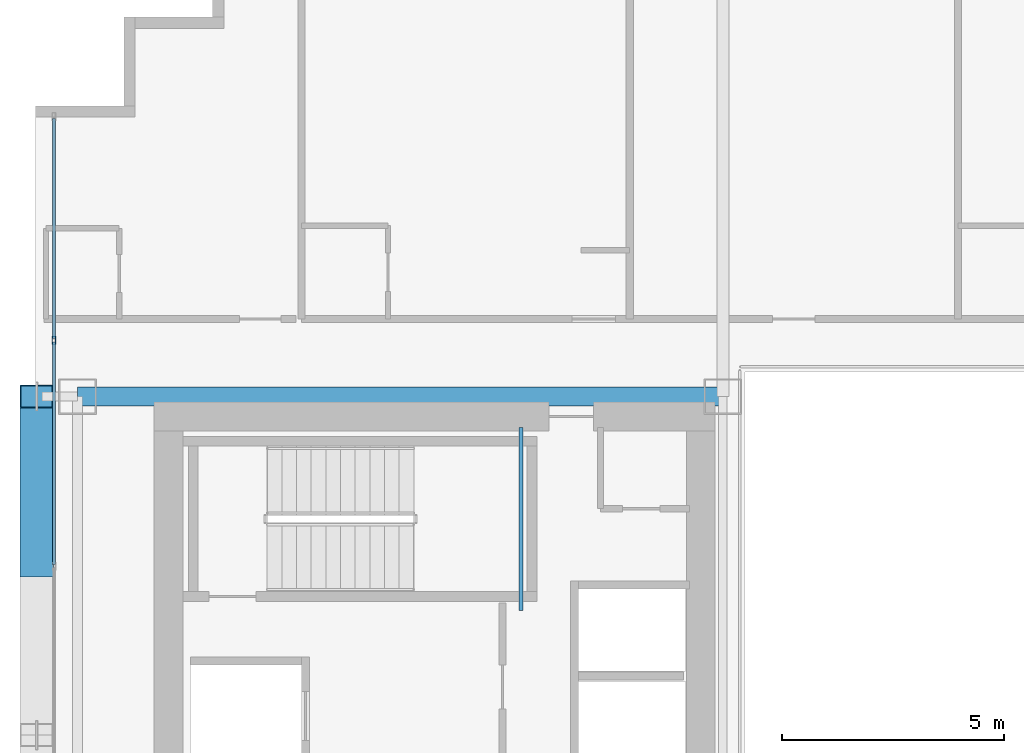
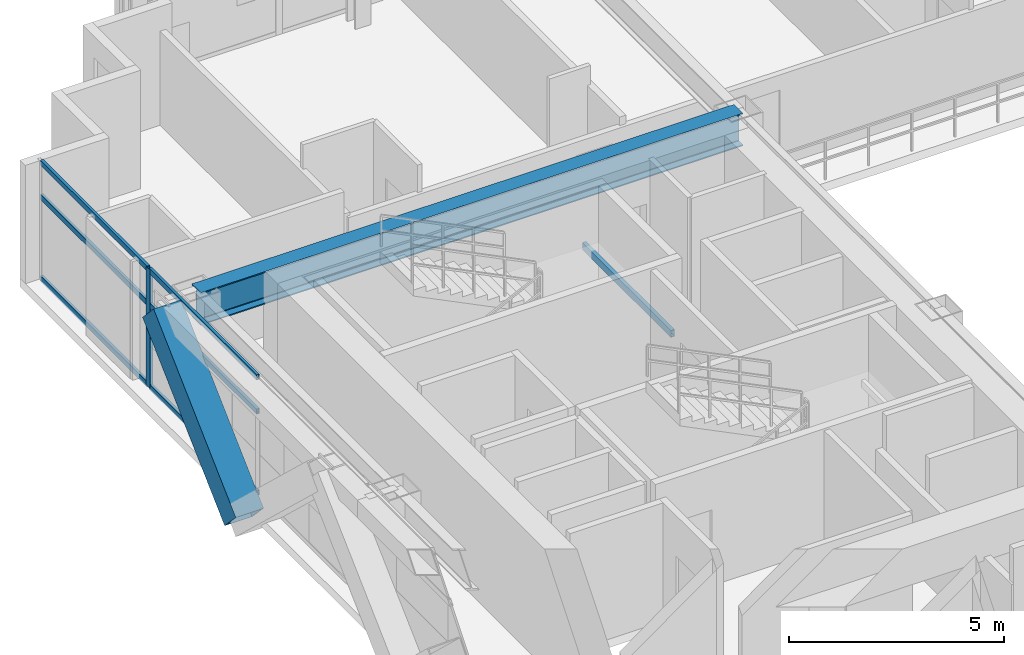
# One storey, part 16 of 35: 8 members, 2 beams, 1 element without a shape of its own.
"""IFC4 building model written with IfcOpenShell, lengths in metres."""

import ifcopenshell
import ifcopenshell.guid

model = None  # the IFC model being written
_history = None  # IfcOwnerHistory: only IFC2X3 demands one
_inside = {}  # id of a spatial element -> (the spatial element, [elements in it])
_under = {}  # id of a project, library or spatial element -> (it, [spatial elements below it])
_declared = {}  # id of a project -> (the project, [libraries it declares])
_typed = {}  # id of a type object -> (the type object, [elements of that type])
_made_of = {}  # id of a material, layer set ... -> (it, [elements and type objects made of it])


def new_model(schema):
    """Start an empty IFC model of exactly this schema.

    Asked for "IFC4X3", IfcOpenShell would pick the latest addendum, in which some entities
    have other attributes; the version numbers below select the first issue.
    IFC2X3 requires an IfcOwnerHistory on every rooted entity: one is made here for all.
    """
    global model, _history
    if schema == "IFC4X3":
        model = ifcopenshell.file(schema_version=(4, 3, 0, 0))
    else:
        model = ifcopenshell.file(schema=schema)
    _inside.clear()
    _under.clear()
    _declared.clear()
    _typed.clear()
    _made_of.clear()
    _history = None
    if model.schema == "IFC2X3":
        org = make("IfcOrganization", Name="unknown")
        user = make(
            "IfcPersonAndOrganization",
            ThePerson=make("IfcPerson", FamilyName="unknown"),
            TheOrganization=org,
        )
        app = make(
            "IfcApplication",
            ApplicationDeveloper=org,
            Version="unknown",
            ApplicationFullName="unknown",
            ApplicationIdentifier="unknown",
        )
        _history = make(
            "IfcOwnerHistory",
            OwningUser=user,
            OwningApplication=app,
            ChangeAction="ADDED",
            CreationDate=0,
        )
    return model


def make(cls, **values):
    """One entity of the class cls with the attributes given. An attribute that is None is left unset."""
    return model.create_entity(
        cls, **{name: value for name, value in values.items() if value is not None}
    )


def rooted(cls, **values):
    """An entity with a GlobalId (a new one), such as an element, a storey or a relation."""
    return make(cls, GlobalId=ifcopenshell.guid.new(), OwnerHistory=_history, **values)


def si_unit(unit_type, name, prefix=None):
    """IfcSIUnit, for example si_unit("LENGTHUNIT", "METRE", prefix="MILLI")."""
    return make("IfcSIUnit", UnitType=unit_type, Prefix=prefix, Name=name)


def assignment(units):
    """IfcUnitAssignment: the units of a project."""
    return None if units is None else make("IfcUnitAssignment", Units=units)


def point(xyz):
    """IfcCartesianPoint."""
    return None if xyz is None else make("IfcCartesianPoint", Coordinates=xyz)


def direction(xyz):
    """IfcDirection."""
    return None if xyz is None else make("IfcDirection", DirectionRatios=xyz)


def frame(location, z_axis=None, x_axis=None):
    """IfcAxis2Placement3D, a coordinate frame: its origin and axes. An axis left out is left unset."""
    return make(
        "IfcAxis2Placement3D",
        Location=point(location),
        Axis=direction(z_axis),
        RefDirection=direction(x_axis),
    )


def frame_2d(location, x_axis=None):
    """IfcAxis2Placement2D, a coordinate frame in the plane: its origin and x axis."""
    return make(
        "IfcAxis2Placement2D", Location=point(location), RefDirection=direction(x_axis)
    )


def origin():
    """The frame at (0, 0, 0) with its axes left unset."""
    return frame((0.0, 0.0, 0.0))


def origin_2d():
    """The frame at (0, 0) in the plane with its x axis left unset."""
    return frame_2d((0.0, 0.0))


def place(relative_to, where):
    """IfcLocalPlacement: puts the frame where relative to a parent placement (None: the world)."""
    return make(
        "IfcLocalPlacement", PlacementRelTo=relative_to, RelativePlacement=where
    )


def context(
    kind, dimensions, precision=None, world=None, true_north=None, identifier=None
):
    """IfcGeometricRepresentationContext, for example the 3D "Model" context."""
    return make(
        "IfcGeometricRepresentationContext",
        ContextIdentifier=identifier,
        ContextType=kind,
        CoordinateSpaceDimension=dimensions,
        Precision=precision,
        WorldCoordinateSystem=world,
        TrueNorth=true_north,
    )


def subcontext(parent, identifier, kind, view, scale=None):
    """IfcGeometricRepresentationSubContext, for example "Body" below "Model"."""
    return make(
        "IfcGeometricRepresentationSubContext",
        ContextIdentifier=identifier,
        ContextType=kind,
        ParentContext=parent,
        TargetScale=scale,
        TargetView=view,
    )


def project(units=None, contexts=None):
    """IfcProject with its units and contexts."""
    return rooted(
        "IfcProject",
        Name="project",
        RepresentationContexts=contexts,
        UnitsInContext=assignment(units),
    )


def spatial(cls, under=None, at=None, **own):
    """A site, building, storey or space (cls), placed at a placement, below another one or the project."""
    s = rooted(cls, ObjectPlacement=at, **own)
    if under is not None:
        _under.setdefault(under.id(), (under, []))[1].append(s)
    return s


def profile(cls, at=None, kind="AREA", **sizes):
    """A parametric profile (cls). Its sizes go by their IFC names, for example OverallWidth=200.0."""
    return make(cls, ProfileType=kind, Position=at, **sizes)


def hollow_rectangle(**sizes):
    """IfcRectangleHollowProfileDef."""
    return profile("IfcRectangleHollowProfileDef", **sizes)


def i_section(**sizes):
    """IfcIShapeProfileDef."""
    return profile("IfcIShapeProfileDef", **sizes)


def extrude(swept, where, along, depth):
    """IfcExtrudedAreaSolid: the profile swept, set in the frame where, extruded along a direction by depth."""
    return make(
        "IfcExtrudedAreaSolid",
        SweptArea=swept,
        Position=where,
        ExtrudedDirection=direction(along),
        Depth=depth,
    )


def shape(context_of_items, identifier, shape_type, items):
    """IfcShapeRepresentation: the items that make up one representation, for example the "Body"."""
    return make(
        "IfcShapeRepresentation",
        ContextOfItems=context_of_items,
        RepresentationIdentifier=identifier,
        RepresentationType=shape_type,
        Items=items,
    )


def source(mapping_origin, context_of_items, identifier, shape_type, items):
    """IfcRepresentationMap: a shape defined once, which mapped items show again and again."""
    return make(
        "IfcRepresentationMap",
        MappingOrigin=mapping_origin,
        MappedRepresentation=shape(context_of_items, identifier, shape_type, items),
    )


def transform(
    local_origin,
    x_axis=None,
    y_axis=None,
    z_axis=None,
    scale=None,
    scale2=None,
    scale3=None,
    uniform=True,
):
    """IfcCartesianTransformationOperator3D, or its non-uniform kind. x_axis, y_axis, z_axis: its Axis1, 2, 3."""
    if uniform:
        return make(
            "IfcCartesianTransformationOperator3D",
            Axis1=direction(x_axis),
            Axis2=direction(y_axis),
            LocalOrigin=point(local_origin),
            Scale=scale,
            Axis3=direction(z_axis),
        )
    return make(
        "IfcCartesianTransformationOperator3DnonUniform",
        Axis1=direction(x_axis),
        Axis2=direction(y_axis),
        LocalOrigin=point(local_origin),
        Scale=scale,
        Axis3=direction(z_axis),
        Scale2=scale2,
        Scale3=scale3,
    )


def mapped(mapping_source, mapping_target):
    """IfcMappedItem: shows the shape of a source again, moved by a transform."""
    return make(
        "IfcMappedItem", MappingSource=mapping_source, MappingTarget=mapping_target
    )


def material(Name=None, Category=None):
    """IfcMaterial."""
    return make("IfcMaterial", Name=Name, Category=Category)


def layer(
    of_material, thickness, ventilated=None, Name=None, Category=None, Priority=None
):
    """IfcMaterialLayer: one layer of a wall or slab, of a material (None: an air gap)."""
    return make(
        "IfcMaterialLayer",
        Material=of_material,
        LayerThickness=thickness,
        IsVentilated=ventilated,
        Name=Name,
        Category=Category,
        Priority=Priority,
    )


def layer_set(layers, Name=None):
    """IfcMaterialLayerSet."""
    return make("IfcMaterialLayerSet", MaterialLayers=layers, LayerSetName=Name)


def material_profile(
    of_material, cross_section, Name=None, Category=None, Priority=None
):
    """IfcMaterialProfile: a cross section and its material."""
    return make(
        "IfcMaterialProfile",
        Name=Name,
        Material=of_material,
        Profile=cross_section,
        Priority=Priority,
        Category=Category,
    )


def profile_set(profiles, Name=None, composite=None):
    """IfcMaterialProfileSet."""
    return make(
        "IfcMaterialProfileSet",
        Name=Name,
        MaterialProfiles=profiles,
        CompositeProfile=composite,
    )


def made_of(thing, what):
    """Note that an element or type object is made of a material, layer set ...; save() writes the relation."""
    if what is not None:
        _made_of.setdefault(what.id(), (what, []))[1].append(thing)
    return thing


def type_object(cls, material=None, **own):
    """A type object (cls), such as IfcWallType, which elements share."""
    return made_of(rooted(cls, **own), material)


def element(
    cls,
    number,
    at=None,
    inside=None,
    cuts=None,
    type_object=None,
    material=None,
    context=None,
    identifier="Body",
    shape_type=None,
    held_by="IfcProductDefinitionShape",
    body=None,
    shapes=None,
    **own,
):
    """One element of the class cls, such as IfcWall. Its Tag is "e" and its number.

    at: its placement. inside: the storey or other place that contains it. cuts: it is an
    opening in that element (IfcRelVoidsElement). A single representation is given by context,
    identifier, shape_type and body (its items); several are given by shapes. held_by: the class
    of the entity that holds the representations. save() writes the other relations.
    """
    e = rooted(cls, Tag="e%d" % number, ObjectPlacement=at, **own)
    if body is not None:
        shapes = [shape(context, identifier, shape_type, body)]
    if shapes is not None:
        e.Representation = make(held_by, Representations=shapes)
    if inside is not None:
        _inside.setdefault(inside.id(), (inside, []))[1].append(e)
    if cuts is not None:
        rooted(
            "IfcRelVoidsElement", RelatingBuildingElement=cuts, RelatedOpeningElement=e
        )
    if type_object is not None:
        _typed.setdefault(type_object.id(), (type_object, []))[1].append(e)
    return made_of(e, material)


def aggregate(whole, parts):
    """IfcRelAggregates: a whole, such as a stair, and the parts it consists of."""
    return rooted("IfcRelAggregates", RelatingObject=whole, RelatedObjects=parts)


def save(model, path):
    """Write the relations noted so far, then the file.

    IfcRelAggregates (storeys below a building ...), IfcRelContainedInSpatialStructure (elements
    in a storey), IfcRelDefinesByType, IfcRelAssociatesMaterial and IfcRelDeclares: one each for
    every whole, place, type object, material and project.
    """
    for whole, parts in _under.values():
        aggregate(whole, parts)
    for where, things in _inside.values():
        rooted(
            "IfcRelContainedInSpatialStructure",
            RelatedElements=things,
            RelatingStructure=where,
        )
    for kind, things in _typed.values():
        rooted("IfcRelDefinesByType", RelatedObjects=things, RelatingType=kind)
    for what, things in _made_of.values():
        rooted("IfcRelAssociatesMaterial", RelatedObjects=things, RelatingMaterial=what)
    for by, libraries in _declared.values():
        rooted("IfcRelDeclares", RelatingContext=by, RelatedDefinitions=libraries)
    model.write(path)


model = new_model("IFC4")

# Units and contexts
model_context = context("Model", 3, precision=1e-05, world=origin(), true_north=direction((0.0, 1.0)))
body_context = subcontext(model_context, "Body", "Model", "MODEL_VIEW")
ifc_project = project(units=[si_unit("LENGTHUNIT", "METRE"), si_unit("AREAUNIT", "SQUARE_METRE"), si_unit("VOLUMEUNIT", "CUBIC_METRE"), si_unit("PLANEANGLEUNIT", "RADIAN"), si_unit("MASSUNIT", "GRAM", prefix="KILO")], contexts=[model_context])

# Site, building, storey
site_placement = place(None, origin())
site = spatial("IfcSite", under=ifc_project, at=site_placement, CompositionType="ELEMENT")
building_placement = place(site_placement, origin())
building = spatial("IfcBuilding", under=site, at=building_placement, Name="Ocotamira Hotel", CompositionType="ELEMENT")
storey_placement = place(building_placement, frame((0.0, 0.0, 115.199951171875)))
storey = spatial("IfcBuildingStorey", under=building, at=storey_placement, Name="L28", CompositionType="ELEMENT", Elevation=115.199951171875)

# Beams
ifc_material_1 = material(Name="Steel ASTM A500 Grade C", Category="steel")
ifc_material_profile_1 = material_profile(ifc_material_1, hollow_rectangle(XDim=0.10009765625, YDim=0.199951171875, WallThickness=0.008056640625, at=origin_2d()), Name="HSS200X100X8")
ifc_profile_set_1 = profile_set([ifc_material_profile_1], Name="Steel ASTM A500 Grade C")
beam_type_1 = type_object("IfcBeamType", Name="BM-STLDG-HSS200", PredefinedType="BEAM", material=ifc_profile_set_1)
shared_shape_1 = source(origin(), body_context, "Body", "SweptSolid", [
    extrude(hollow_rectangle(XDim=0.10009765625, YDim=0.199951171875, WallThickness=0.008056640625, at=origin_2d()), origin(), (0.0, 0.0, 1.0), 4.1201171875),
])
beam_1_placement = place(storey_placement, frame((18.949951171875, 32.6298828125, 1.5), z_axis=(0.0, 1.0, 0.0), x_axis=(-1.0, 0.0, 0.0)))
element("IfcBeam", 1, at=beam_1_placement, inside=storey, type_object=beam_type_1, Name="L28 Stair ST-2 Landing Bearer 1", PredefinedType="BEAM", context=body_context, shape_type="MappedRepresentation", body=[
    mapped(shared_shape_1, transform((0.0, 0.0, 0.0), scale=1.0)),
])
ifc_material_2 = material(Name="Steel ASTM A992 Grade 50", Category="steel")
ifc_material_profile_2 = material_profile(ifc_material_2, i_section(OverallWidth=0.41796875, OverallDepth=0.927001953125, WebThickness=0.019287109375, FlangeThickness=0.031982421875, FilletRadius=0.02392578125, at=origin_2d()), Name="W36X231")
ifc_profile_set_2 = profile_set([ifc_material_profile_2], Name="Steel ASTM A992 Grade 50")
beam_type_2 = type_object("IfcBeamType", Name="BM-GIRD-W36X231", PredefinedType="BEAM", material=ifc_profile_set_2)
shared_shape_2 = source(origin(), body_context, "Body", "SweptSolid", [
    extrude(i_section(OverallWidth=0.41796875, OverallDepth=0.927001953125, WebThickness=0.019287109375, FlangeThickness=0.031982421875, FilletRadius=0.02392578125, at=origin_2d()), origin(), (0.0, 0.0, 1.0), 14.550048828125),
])
beam_2_placement = place(storey_placement, frame((8.949951171875, 37.449951171875, 2.896484375), z_axis=(1.0, 0.0, 0.0), x_axis=(0.0, 1.0, 0.0)))
element("IfcBeam", 2, at=beam_2_placement, inside=storey, type_object=beam_type_2, Name="L28 Girder Y37.45 X8.95-23.5", PredefinedType="BEAM", context=body_context, shape_type="MappedRepresentation", body=[
    mapped(shared_shape_2, transform((0.0, 0.0, 0.0), scale=1.0)),
])

# Member
ifc_material_3 = material(Name="Pale-metal coated steel ASTM A913 Grade 65", Category="steel")
ifc_material_profile_3 = material_profile(ifc_material_3, hollow_rectangle(XDim=0.75, YDim=0.75, WallThickness=0.028076171875, at=origin_2d()), Name="BOX750X750X28")
ifc_profile_set_3 = profile_set([ifc_material_profile_3], Name="Pale-metal coated steel ASTM A913 Grade 65")
member_type_1 = type_object("IfcMemberType", Name="MEM-EXO-BOX750", PredefinedType="BRACE", material=ifc_profile_set_3)
shared_shape_3 = source(origin(), body_context, "Body", "SweptSolid", [
    extrude(hollow_rectangle(XDim=0.75, YDim=0.75, WallThickness=0.028076171875, at=origin_2d()), origin(), (0.0, 0.0, 1.0), 5.24658203125),
])
member_1_placement = place(storey_placement, frame((8.030029296875, 33.63330078125, -0.489990234375), z_axis=(0.0, 0.727442733726, 0.686168397078), x_axis=(-1.0, 0.0, 0.0)))
element("IfcMember", 3, at=member_1_placement, inside=storey, type_object=member_type_1, Name="L28 Exoskeleton Diagrid W2.2", PredefinedType="BRACE", context=body_context, shape_type="MappedRepresentation", body=[
    mapped(shared_shape_3, transform((0.0, 0.0, 0.0), scale=1.0)),
])

# Curtain wall, members
ifc_material_4 = material(Name="Anodised pale-metal aluminium and solar glass", Category="aluminium")
ifc_layer = layer(ifc_material_4, 0.179931640625)
ifc_layer_set = layer_set([ifc_layer], Name="Anodised pale-metal aluminium and solar glass")
curtain_wall_type = type_object("IfcCurtainWallType", Name="CW-SYS3-Z2", PredefinedType="NOTDEFINED", material=ifc_layer_set)
curtain_wall_placement = place(storey_placement, origin())
curtain_wall = element("IfcCurtainWall", 4, at=curtain_wall_placement, inside=storey, type_object=curtain_wall_type, Name="L28 Curtain Wall CW-3 CW-L28-W", PredefinedType="NOTDEFINED")
ifc_material_5 = material(Name="Anodised pale-metal aluminium 6063-T6", Category="aluminium")
ifc_material_profile_4 = material_profile(ifc_material_5, hollow_rectangle(XDim=0.074951171875, YDim=0.14990234375, WallThickness=0.006103515625, at=origin_2d()), Name="HSS150X75X6")
ifc_profile_set_4 = profile_set([ifc_material_profile_4], Name="Anodised pale-metal aluminium 6063-T6")
member_type_2 = type_object("IfcMemberType", Name="CWT-150X75", PredefinedType="USERDEFINED", material=ifc_profile_set_4)
shared_shape_4 = source(origin(), body_context, "Body", "SweptSolid", [
    extrude(hollow_rectangle(XDim=0.074951171875, YDim=0.14990234375, WallThickness=0.006103515625, at=origin_2d()), origin(), (0.0, 0.0, 1.0), 4.965576171875),
])
member_2_placement = place(storey_placement, frame((8.419921875, 38.75439453125, 0.03759765625), z_axis=(0.0, 1.0, 0.0), x_axis=(-1.0, 0.0, 0.0)))
member_2 = element("IfcMember", 5, at=member_2_placement, type_object=member_type_2, Name="CW-3 transom 7.1", ObjectType="TRANSOM", PredefinedType="USERDEFINED", context=body_context, shape_type="MappedRepresentation", body=[
    mapped(shared_shape_4, transform((0.0, 0.0, 0.0), scale=1.0)),
])
member_3_placement = place(storey_placement, frame((8.419921875, 38.75439453125, 2.35009765625), z_axis=(0.0, 1.0, 0.0), x_axis=(-1.0, 0.0, 0.0)))
member_3 = element("IfcMember", 6, at=member_3_placement, type_object=member_type_2, Name="CW-3 transom 7.2", ObjectType="TRANSOM", PredefinedType="USERDEFINED", context=body_context, shape_type="MappedRepresentation", body=[
    mapped(shared_shape_4, transform((0.0, 0.0, 0.0), scale=1.0)),
])
member_4_placement = place(storey_placement, frame((8.419921875, 38.75439453125, 3.322509765625), z_axis=(0.0, 1.0, 0.0), x_axis=(-1.0, 0.0, 0.0)))
member_4 = element("IfcMember", 7, at=member_4_placement, type_object=member_type_2, Name="CW-3 transom 7.3", ObjectType="TRANSOM", PredefinedType="USERDEFINED", context=body_context, shape_type="MappedRepresentation", body=[
    mapped(shared_shape_4, transform((0.0, 0.0, 0.0), scale=1.0)),
])
shared_shape_5 = source(origin(), body_context, "Body", "SweptSolid", [
    extrude(hollow_rectangle(XDim=0.074951171875, YDim=0.14990234375, WallThickness=0.006103515625, at=origin_2d()), origin(), (0.0, 0.0, 1.0), 5.005859375),
])
member_5_placement = place(storey_placement, frame((8.419921875, 33.66845703125, 0.03759765625), z_axis=(0.0, 1.0, 0.0), x_axis=(-1.0, 0.0, 0.0)))
member_5 = element("IfcMember", 8, at=member_5_placement, type_object=member_type_2, Name="CW-3 transom 6.1", ObjectType="TRANSOM", PredefinedType="USERDEFINED", context=body_context, shape_type="MappedRepresentation", body=[
    mapped(shared_shape_5, transform((0.0, 0.0, 0.0), scale=1.0)),
])
member_6_placement = place(storey_placement, frame((8.419921875, 33.66845703125, 2.35009765625), z_axis=(0.0, 1.0, 0.0), x_axis=(-1.0, 0.0, 0.0)))
member_6 = element("IfcMember", 9, at=member_6_placement, type_object=member_type_2, Name="CW-3 transom 6.2", ObjectType="TRANSOM", PredefinedType="USERDEFINED", context=body_context, shape_type="MappedRepresentation", body=[
    mapped(shared_shape_5, transform((0.0, 0.0, 0.0), scale=1.0)),
])
member_7_placement = place(storey_placement, frame((8.419921875, 33.66845703125, 3.322509765625), z_axis=(0.0, 1.0, 0.0), x_axis=(-1.0, 0.0, 0.0)))
member_7 = element("IfcMember", 10, at=member_7_placement, type_object=member_type_2, Name="CW-3 transom 6.3", ObjectType="TRANSOM", PredefinedType="USERDEFINED", context=body_context, shape_type="MappedRepresentation", body=[
    mapped(shared_shape_5, transform((0.0, 0.0, 0.0), scale=1.0)),
])
ifc_material_profile_5 = material_profile(ifc_material_5, hollow_rectangle(XDim=0.080078125, YDim=0.179931640625, WallThickness=0.006103515625, at=origin_2d()), Name="HSS180X80X6")
ifc_profile_set_5 = profile_set([ifc_material_profile_5], Name="Anodised pale-metal aluminium 6063-T6")
member_type_3 = type_object("IfcMemberType", Name="CWM-180X75", PredefinedType="MULLION", material=ifc_profile_set_5)
shared_shape_6 = source(origin(), body_context, "Body", "SweptSolid", [
    extrude(hollow_rectangle(XDim=0.080078125, YDim=0.179931640625, WallThickness=0.006103515625, at=origin_2d()), origin(), (0.0, 0.0, 1.0), 3.360107421875),
])
member_8_placement = place(storey_placement, frame((8.419921875, 38.71435546875, 0.0), z_axis=(0.0, 0.0, 1.0), x_axis=(-1.0, 0.0, 0.0)))
member_8 = element("IfcMember", 11, at=member_8_placement, type_object=member_type_3, Name="CW-3 mullion 7", PredefinedType="MULLION", context=body_context, shape_type="MappedRepresentation", body=[
    mapped(shared_shape_6, transform((0.0, 0.0, 0.0), scale=1.0)),
])
aggregate(curtain_wall, [member_8, member_5, member_6, member_7, member_2, member_3, member_4])

save(model, "model.ifc")
